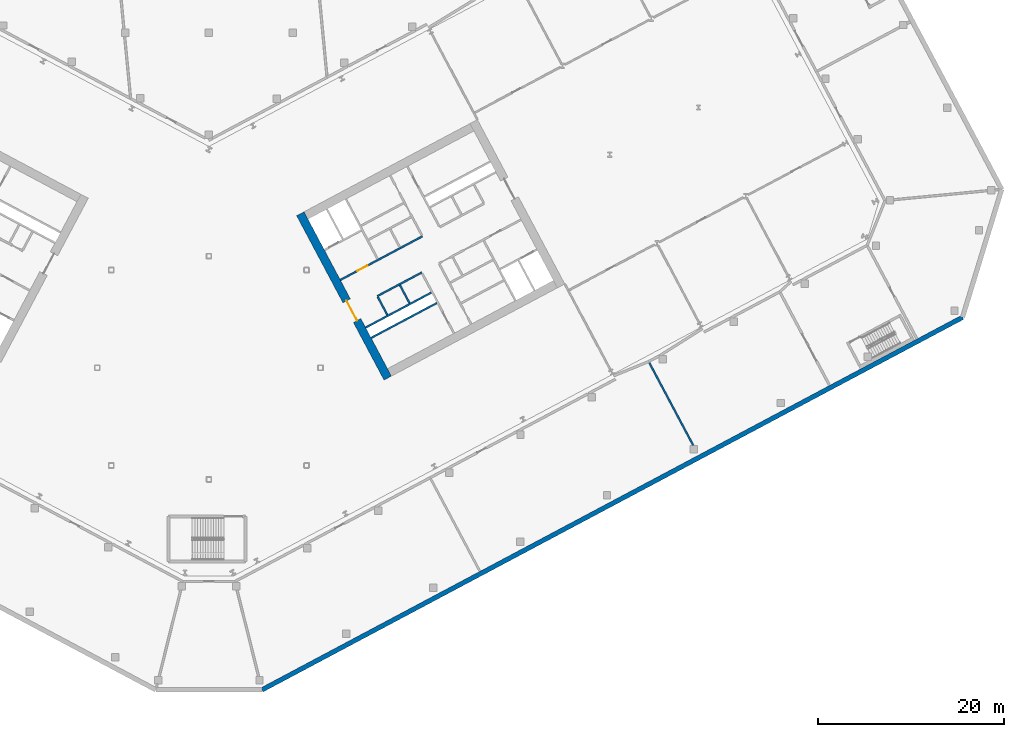
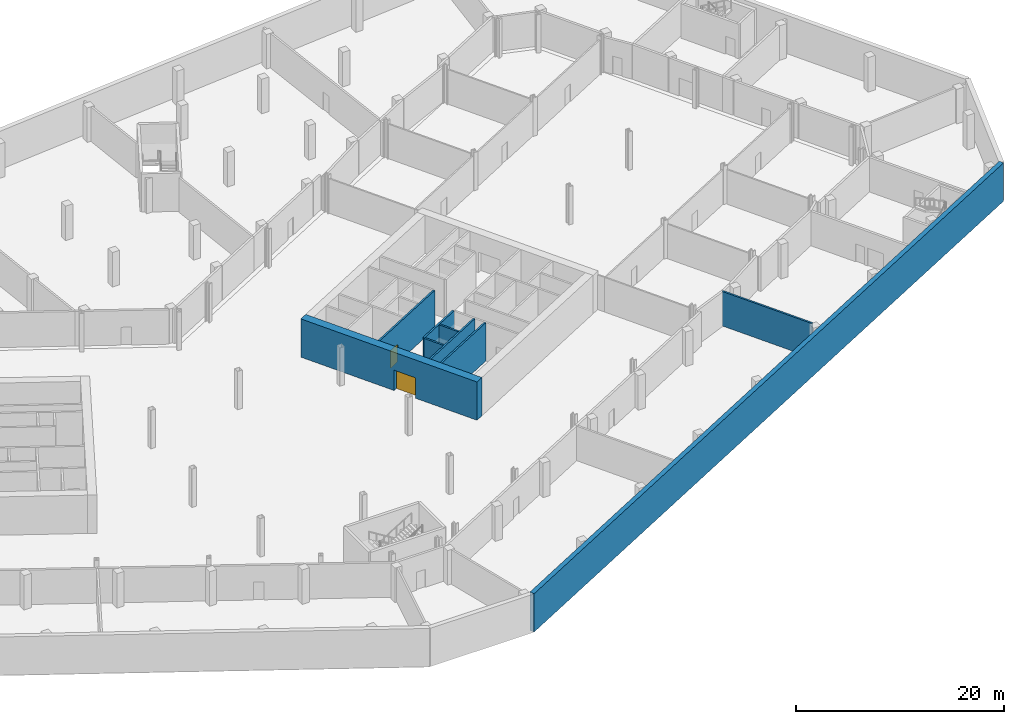
# One storey, part 12 of 27: 9 walls, 2 doors, 2 openings.
"""IFC4 building model written with IfcOpenShell, lengths in metres."""

from ifc_helpers import new_model, si_unit, direction, frame, frame_2d, origin, place, context, subcontext, project, spatial, rectangle, extrude, material, layer, layer_set, type_object, element, fill, save


model = new_model("IFC4")

# Units and contexts
model_context = context("Model", 3, precision=1e-05, world=origin(), true_north=direction((0.0, 1.0)))
body_context = subcontext(model_context, "Body", "Model", "MODEL_VIEW")
ifc_project = project(units=[si_unit("LENGTHUNIT", "METRE"), si_unit("AREAUNIT", "SQUARE_METRE"), si_unit("VOLUMEUNIT", "CUBIC_METRE"), si_unit("PLANEANGLEUNIT", "RADIAN"), si_unit("MASSUNIT", "GRAM", prefix="KILO")], contexts=[model_context])

# Site, building, storey
site_placement = place(None, origin())
site = spatial("IfcSite", under=ifc_project, at=site_placement, CompositionType="ELEMENT")
building_placement = place(site_placement, origin())
building = spatial("IfcBuilding", under=site, at=building_placement, Name="Cormorant Relay Tower", CompositionType="ELEMENT")
storey_placement = place(building_placement, frame((0.0, 0.0, -4.5)))
storey = spatial("IfcBuildingStorey", under=building, at=storey_placement, Name="B1", CompositionType="ELEMENT", Elevation=-4.5)

# Walls
ifc_material_1 = material(Name="Concrete 40 MPa", Category="concrete")
ifc_layer_1 = layer(ifc_material_1, 0.199951171875)
ifc_layer_set_1 = layer_set([ifc_layer_1], Name="Core internal wall 200")
wall_type_1 = type_object("IfcWallType", Name="Core internal wall 200", PredefinedType="SOLIDWALL", material=ifc_layer_set_1)
wall_1_placement = place(storey_placement, frame((21.567626953125, 6.9375, 0.0), z_axis=(0.0, 0.0, 1.0), x_axis=(-0.469533832133, 0.882914480843, 0.0)))
element("IfcWall", 1, at=wall_1_placement, inside=storey, type_object=wall_type_1, Name="B1 core B shaft and room wall", PredefinedType="SOLIDWALL", context=body_context, shape_type="SweptSolid", body=[
    extrude(rectangle(XDim=2.199951171875, YDim=0.199951171875, at=frame_2d((1.10009765625, 0.0))), origin(), (0.0, 0.0, 1.0), 4.5),
])
ifc_material_2 = material(Name="Concrete 50 MPa", Category="concrete")
ifc_layer_2 = layer(ifc_material_2, 0.199951171875)
ifc_layer_set_2 = layer_set([ifc_layer_2], Name="Core shaft wall 200")
wall_type_2 = type_object("IfcWallType", Name="Core shaft wall 200", PredefinedType="SHEAR", material=ifc_layer_set_2)
wall_2_placement = place(storey_placement, frame((19.18359375, 5.669921875, 0.0), z_axis=(0.0, 0.0, 1.0), x_axis=(-0.4694473164, 0.882960484464, 0.0)))
element("IfcWall", 2, at=wall_2_placement, inside=storey, type_object=wall_type_2, Name="B1 core B shaft wall", PredefinedType="SHEAR", context=body_context, shape_type="SweptSolid", body=[
    extrude(rectangle(XDim=2.199951171875, YDim=0.199951171875, at=frame_2d((1.10009765625, 0.0))), origin(), (0.0, 0.0, 1.0), 4.5),
])
for number, where, z_axis, x_axis, name in (
    (3, (17.43359375, 3.210205078125, 0.0), (0.0, 0.0, 1.0), (0.882940221191, 0.469485426614, 0.0), "B1 core B shaft wall"),
    (4, (16.8466796875, 4.31396484375, 0.0), (0.0, 0.0, 1.0), (0.882940221191, 0.469485426614, 0.0), "B1 core B shaft wall"),
):
    element("IfcWall", number, at=place(storey_placement, frame(where, z_axis=z_axis, x_axis=x_axis)), inside=storey, type_object=wall_type_2, Name=name, PredefinedType="SHEAR", context=body_context, shape_type="SweptSolid", body=[
        extrude(rectangle(XDim=8.0, YDim=0.199951171875, at=frame_2d((4.0, 0.0))), origin(), (0.0, 0.0, 1.0), 4.5),
    ])
wall_3_placement = place(storey_placement, frame((18.103759765625, 7.70068359375, 0.0), z_axis=(0.0, 0.0, 1.0), x_axis=(0.882952937579, 0.469461510692, 0.0)))
element("IfcWall", 5, at=wall_3_placement, inside=storey, type_object=wall_type_2, Name="B1 core B shaft wall", PredefinedType="SHEAR", context=body_context, shape_type="SweptSolid", body=[
    extrude(rectangle(XDim=5.400146484375, YDim=0.199951171875, at=frame_2d((2.7001953125, 0.0))), origin(), (0.0, 0.0, 1.0), 4.5),
])

# Wall, opening, door
wall_4_placement = place(storey_placement, frame((14.123779296875, 9.43505859375, 0.0), z_axis=(0.0, 0.0, 1.0), x_axis=(0.882940221191, 0.469485426614, 0.0)))
wall_4 = element("IfcWall", 6, at=wall_4_placement, inside=storey, type_object=wall_type_2, Name="B1 core B shaft wall", PredefinedType="SHEAR", context=body_context, shape_type="SweptSolid", body=[
    extrude(rectangle(XDim=10.0, YDim=0.199951171875, at=frame_2d((5.0, 0.0))), origin(), (0.0, 0.0, 1.0), 4.5),
])
opening_1_placement = place(wall_4_placement, frame((2.10009765625, 0.0, 0.0)))
opening_1 = element("IfcOpeningElement", 7, at=opening_1_placement, cuts=wall_4, Name="Opening CDC-003", PredefinedType="OPENING", context=body_context, shape_type="SweptSolid", body=[
    extrude(rectangle(XDim=1.199951171875, YDim=2.10009765625, at=frame_2d((0.60009765625, 1.050048828125))), frame((0.0, 0.10986328125, 0.0), z_axis=(0.0, -1.0, 0.0), x_axis=(1.0, 0.0, 0.0)), (0.0, 0.0, 1.0), 0.219970703125),
])
ifc_material_3 = material(Name="Steel fire door", Category="steel")
door_type_1 = type_object("IfcDoorType", Name="Core lobby door 1200x2100", OperationType="SINGLE_SWING_LEFT", PredefinedType="DOOR", material=ifc_material_3)
door_1_placement = place(opening_1_placement, origin())
door_1 = element("IfcDoor", 8, at=door_1_placement, inside=storey, type_object=door_type_1, Name="Core lobby door 1200x2100", OperationType="SINGLE_SWING_RIGHT", OverallHeight=2.10009765625, OverallWidth=1.199951171875, PredefinedType="DOOR", context=body_context, shape_type="SweptSolid", body=[
    extrude(rectangle(XDim=1.199951171875, YDim=2.10009765625, at=frame_2d((0.60009765625, 1.050048828125))), frame((0.0, 0.02490234375, 0.0), z_axis=(0.0, -1.0, 0.0), x_axis=(1.0, 0.0, 0.0)), (0.0, 0.0, 1.0), 0.050048828125),
])
fill(opening_1, door_1)

ifc_material_4 = material(Name="Concrete 70 MPa", Category="concrete")
ifc_layer_3 = layer(ifc_material_4, 0.89990234375)
ifc_layer_set_3 = layer_set([ifc_layer_3], Name="Core wall 900")
wall_type_3 = type_object("IfcWallType", Name="Core wall 900", PredefinedType="SHEAR", material=ifc_layer_set_3)
wall_5_placement = place(storey_placement, frame((19.21923828125, -1.106689453125, 0.0), z_axis=(0.0, 0.0, 1.0), x_axis=(-0.46947084998, 0.882947971864, 0.0)))
wall_5 = element("IfcWall", 9, at=wall_5_placement, inside=storey, type_object=wall_type_3, Name="B1 core B wall", PredefinedType="SHEAR", context=body_context, shape_type="SweptSolid", body=[
    extrude(rectangle(XDim=20.0, YDim=0.89990234375, at=frame_2d((10.0, 0.0))), origin(), (0.0, 0.0, 1.0), 4.5),
])
opening_2_placement = place(wall_5_placement, frame((7.0, 0.0, 0.0)))
opening_2 = element("IfcOpeningElement", 10, at=opening_2_placement, cuts=wall_5, Name="Opening CDA-003", PredefinedType="OPENING", context=body_context, shape_type="SweptSolid", body=[
    extrude(rectangle(XDim=2.39990234375, YDim=2.39990234375, at=frame_2d((1.199951171875, 1.199951171875))), frame((0.0, 0.4599609375, 0.0), z_axis=(0.0, -1.0, 0.0), x_axis=(1.0, 0.0, 0.0)), (0.0, 0.0, 1.0), 0.919921875),
])
ifc_material_5 = material(Name="Steel fire door", Category="steel")
door_type_2 = type_object("IfcDoorType", Name="Core lobby door 2400x2400", OperationType="DOUBLE_DOOR_SINGLE_SWING", PredefinedType="DOOR", material=ifc_material_5)
door_2_placement = place(opening_2_placement, frame((2.39990234375, 0.0, 0.0), z_axis=(0.0, 0.0, 1.0), x_axis=(-1.0, 0.0, 0.0)))
door_2 = element("IfcDoor", 11, at=door_2_placement, inside=storey, type_object=door_type_2, Name="Core lobby door 2400x2400", OperationType="DOUBLE_DOOR_SINGLE_SWING", OverallHeight=2.39990234375, OverallWidth=2.39990234375, PredefinedType="DOOR", context=body_context, shape_type="SweptSolid", body=[
    extrude(rectangle(XDim=2.39990234375, YDim=2.39990234375, at=frame_2d((1.199951171875, 1.199951171875))), frame((0.0, 0.02490234375, 0.0), z_axis=(0.0, -1.0, 0.0), x_axis=(1.0, 0.0, 0.0)), (0.0, 0.0, 1.0), 0.050048828125),
])
fill(opening_2, door_2)

# Walls
ifc_material_6 = material(Name="Concrete masonry 20 MPa", Category="masonry")
ifc_layer_4 = layer(ifc_material_6, 0.199951171875)
ifc_layer_set_4 = layer_set([ifc_layer_4], Name="Plant room wall 200")
wall_type_4 = type_object("IfcWallType", Name="Plant room wall 200", PredefinedType="PARTITIONING", material=ifc_layer_set_4)
wall_6_placement = place(storey_placement, frame((52.062744140625, -8.35302734375, 0.0), z_axis=(0.0, 0.0, 1.0), x_axis=(-0.469467926311, 0.882949526397, 0.0)))
element("IfcWall", 12, at=wall_6_placement, inside=storey, type_object=wall_type_4, Name="Partition", PredefinedType="PARTITIONING", context=body_context, shape_type="SweptSolid", body=[
    extrude(rectangle(XDim=10.21728515625, YDim=0.199951171875, at=frame_2d((5.108642578125, 0.0))), origin(), (0.0, 0.0, 1.0), 4.050048828125),
])
ifc_material_7 = material(Name="Concrete 40 MPa", Category="concrete")
ifc_layer_5 = layer(ifc_material_7, 0.5)
ifc_layer_set_5 = layer_set([ifc_layer_5], Name="Retaining wall 500")
wall_type_5 = type_object("IfcWallType", Name="Retaining wall 500", PredefinedType="SOLIDWALL", material=ifc_layer_set_5)
wall_7_placement = place(storey_placement, frame((5.703125, -34.62548828125, 0.0), z_axis=(0.0, 0.0, 1.0), x_axis=(0.882947521781, 0.469471696464, 0.0)))
element("IfcWall", 13, at=wall_7_placement, inside=storey, type_object=wall_type_5, Name="Retaining wall", PredefinedType="SOLIDWALL", context=body_context, shape_type="SweptSolid", body=[
    extrude(rectangle(XDim=85.294189453125, YDim=0.5, at=frame_2d((42.64697265625, 0.0))), origin(), (0.0, 0.0, 1.0), 4.5),
])

save(model, "model.ifc")
